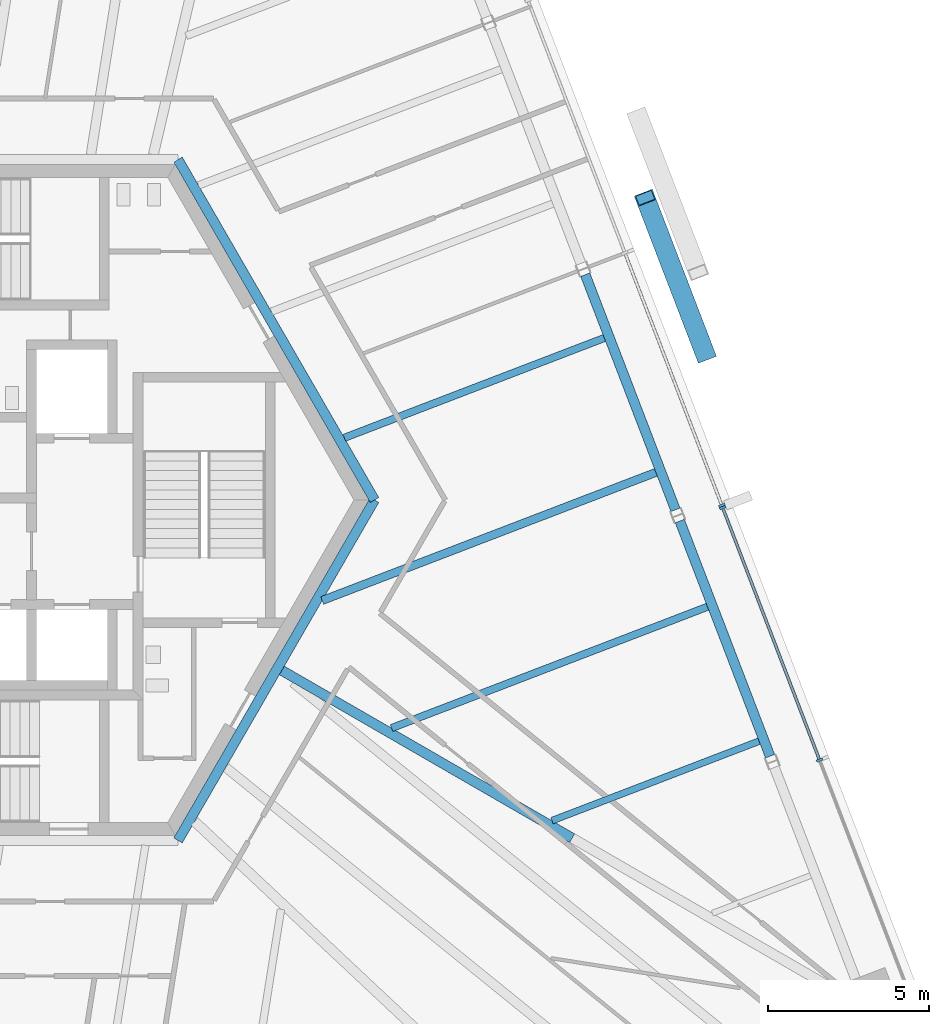
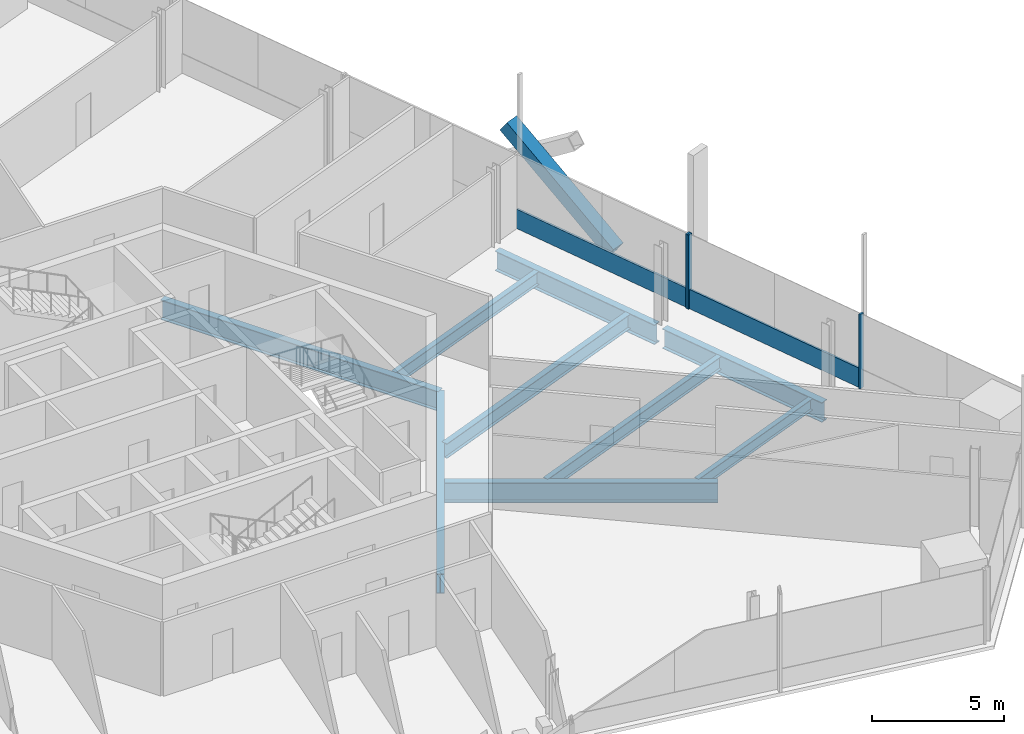
# One storey, part 7 of 22: 9 beams, 6 members, 2 elements without a shape of their own.
"""IFC4 building model written with IfcOpenShell, lengths in metres."""

from ifc_helpers import new_model, si_unit, direction, frame, origin, origin_2d, place, context, subcontext, project, spatial, rectangle, hollow_rectangle, i_section, extrude, source, transform, mapped, material, material_profile, profile_set, type_object, element, aggregate, save


model = new_model("IFC4")

# Units and contexts
model_context = context("Model", 3, precision=1e-05, world=origin(), true_north=direction((0.0, 1.0)))
body_context = subcontext(model_context, "Body", "Model", "MODEL_VIEW")
ifc_project = project(units=[si_unit("LENGTHUNIT", "METRE"), si_unit("AREAUNIT", "SQUARE_METRE"), si_unit("VOLUMEUNIT", "CUBIC_METRE"), si_unit("PLANEANGLEUNIT", "RADIAN"), si_unit("MASSUNIT", "GRAM", prefix="KILO")], contexts=[model_context])

# Site, building, storey
site_placement = place(None, origin())
site = spatial("IfcSite", under=ifc_project, at=site_placement, CompositionType="ELEMENT")
building_placement = place(site_placement, origin())
building = spatial("IfcBuilding", under=site, at=building_placement, Name="Triune Harvest Tower", CompositionType="ELEMENT")
storey_placement = place(building_placement, frame((0.0, 0.0, 153.300048828125)))
storey = spatial("IfcBuildingStorey", under=building, at=storey_placement, Name="L39", CompositionType="ELEMENT", Elevation=153.300048828125)

# Beams
ifc_material_1 = material(Name="Steel ASTM A992 Gr 50", Category="steel")
ifc_material_profile_1 = material_profile(ifc_material_1, i_section(OverallWidth=0.3046875, OverallDepth=0.914306640625, WebThickness=0.0166015625, FlangeThickness=0.02587890625, at=origin_2d()), Name="W36x160")
ifc_profile_set_1 = profile_set([ifc_material_profile_1], Name="Steel ASTM A992 Gr 50")
beam_type_1 = type_object("IfcBeamType", Name="CG-1 Core ring girder W36x160", PredefinedType="BEAM", material=ifc_profile_set_1)
shared_shape_1 = source(origin(), body_context, "Body", "SweptSolid", [
    extrude(i_section(OverallWidth=0.3046875, OverallDepth=0.914306640625, WebThickness=0.0166015625, FlangeThickness=0.02587890625, at=origin_2d()), origin(), (0.0, 0.0, 1.0), 12.176025390625),
])
for number, where, z_axis, x_axis, name in (
    (1, (12.176025390625, 0.0, -0.6171875), (-0.5000099932, 0.866019634131, 0.0), (-0.866019634131, -0.5000099932, 0.0), "beam/L39/CG1"),
    (2, (6.087890625, -10.544677734375, -0.6171875), (0.5000099932, 0.866019634131, 0.0), (-0.866019634131, 0.5000099932, 0.0), "beam/L39/CG6"),
):
    element("IfcBeam", number, at=place(storey_placement, frame(where, z_axis=z_axis, x_axis=x_axis)), inside=storey, type_object=beam_type_1, Name=name, PredefinedType="BEAM", context=body_context, shape_type="MappedRepresentation", body=[
        mapped(shared_shape_1, transform((0.0, 0.0, 0.0), scale=1.0)),
    ])
ifc_material_2 = material(Name="Steel ASTM A992 Gr 50", Category="steel")
ifc_material_profile_2 = material_profile(ifc_material_2, i_section(OverallWidth=0.307373046875, OverallDepth=0.922119140625, WebThickness=0.018310546875, FlangeThickness=0.030029296875, at=origin_2d()), Name="W36x182")
ifc_profile_set_2 = profile_set([ifc_material_profile_2], Name="Steel ASTM A992 Gr 50")
beam_type_2 = type_object("IfcBeamType", Name="HG-2 Hip girder W36x182", PredefinedType="BEAM", material=ifc_profile_set_2)
shared_shape_2 = source(origin(), body_context, "Body", "SweptSolid", [
    extrude(i_section(OverallWidth=0.307373046875, OverallDepth=0.922119140625, WebThickness=0.018310546875, FlangeThickness=0.030029296875, at=origin_2d()), origin(), (0.0, 0.0, 1.0), 10.38623046875),
])
beam_1_placement = place(storey_placement, frame((18.29833984375, -10.47314453125, -0.62109375), z_axis=(-0.866022743272, 0.500004608114, 0.0), x_axis=(-0.500004608114, -0.866022743272, 0.0)))
element("IfcBeam", 3, at=beam_1_placement, inside=storey, type_object=beam_type_2, Name="beam/L39/HG2", PredefinedType="BEAM", context=body_context, shape_type="MappedRepresentation", body=[
    mapped(shared_shape_2, transform((0.0, 0.0, 0.0), scale=1.0)),
])
ifc_material_3 = material(Name="Steel ASTM A992 Gr 50", Category="steel")
ifc_material_profile_3 = material_profile(ifc_material_3, i_section(OverallWidth=0.3046875, OverallDepth=0.914306640625, WebThickness=0.0166015625, FlangeThickness=0.02587890625, at=origin_2d()), Name="W36x160")
ifc_profile_set_3 = profile_set([ifc_material_profile_3], Name="Steel ASTM A992 Gr 50")
beam_type_3 = type_object("IfcBeamType", Name="SB-1 Spandrel beam W36x160", PredefinedType="SPANDREL", material=ifc_profile_set_3)
shared_shape_3 = source(origin(), body_context, "Body", "SweptSolid", [
    extrude(i_section(OverallWidth=0.3046875, OverallDepth=0.914306640625, WebThickness=0.0166015625, FlangeThickness=0.02587890625, at=origin_2d()), origin(), (0.0, 0.0, 1.0), 7.8017578125),
])
for number, where, z_axis, x_axis, name in (
    (4, (24.428466796875, -7.93603515625, -0.6171875), (-0.358372974677, 0.933578497514, 0.0), (-0.933578497514, -0.358372974677, 0.0), "beam/L39/SB2"),
    (5, (21.498779296875, -0.303955078125, -0.6171875), (-0.358372974677, 0.933578497514, 0.0), (-0.933578497514, -0.358372974677, 0.0), "beam/L39/SB3"),
):
    element("IfcBeam", number, at=place(storey_placement, frame(where, z_axis=z_axis, x_axis=x_axis)), inside=storey, type_object=beam_type_3, Name=name, PredefinedType="SPANDREL", context=body_context, shape_type="MappedRepresentation", body=[
        mapped(shared_shape_3, transform((0.0, 0.0, 0.0), scale=1.0)),
    ])
ifc_material_4 = material(Name="Steel ASTM A992 Gr 50", Category="steel")
ifc_material_profile_4 = material_profile(ifc_material_4, i_section(OverallWidth=0.2099609375, OverallDepth=0.535888671875, WebThickness=0.010986328125, FlangeThickness=0.017333984375, at=origin_2d()), Name="W21x68")
ifc_profile_set_4 = profile_set([ifc_material_profile_4], Name="Steel ASTM A992 Gr 50")
beam_type_4 = type_object("IfcBeamType", Name="JT-2 Floor joist W21x68", PredefinedType="JOIST", material=ifc_profile_set_4)
shared_shape_4 = source(origin(), body_context, "Body", "SweptSolid", [
    extrude(i_section(OverallWidth=0.2099609375, OverallDepth=0.535888671875, WebThickness=0.010986328125, FlangeThickness=0.017333984375, at=origin_2d()), origin(), (0.0, 0.0, 1.0), 6.871826171875),
])
beam_2_placement = place(storey_placement, frame((24.086669921875, -7.47119140625, -0.427978515625), z_axis=(-0.933577992689, -0.358374289769, 0.0), x_axis=(0.358374289769, -0.933577992689, 0.0)))
element("IfcBeam", 6, at=beam_2_placement, inside=storey, type_object=beam_type_4, Name="beam/L39/JT2", PredefinedType="JOIST", context=body_context, shape_type="MappedRepresentation", body=[
    mapped(shared_shape_4, transform((0.0, 0.0, 0.0), scale=1.0)),
])
ifc_material_5 = material(Name="Steel ASTM A992 Gr 50", Category="steel")
ifc_material_profile_5 = material_profile(ifc_material_5, i_section(OverallWidth=0.22900390625, OverallDepth=0.612060546875, WebThickness=0.011962890625, FlangeThickness=0.01953125, at=origin_2d()), Name="W24x84")
ifc_profile_set_5 = profile_set([ifc_material_profile_5], Name="Steel ASTM A992 Gr 50")
beam_type_5 = type_object("IfcBeamType", Name="JT-3 Floor joist W24x84", PredefinedType="JOIST", material=ifc_profile_set_5)
shared_shape_5 = source(origin(), body_context, "Body", "SweptSolid", [
    extrude(i_section(OverallWidth=0.22900390625, OverallDepth=0.612060546875, WebThickness=0.011962890625, FlangeThickness=0.01953125, at=origin_2d()), origin(), (0.0, 0.0, 1.0), 10.482666015625),
])
beam_3_placement = place(storey_placement, frame((22.48876953125, -3.30810546875, -0.466064453125), z_axis=(-0.933574113636, -0.358384394677, 0.0), x_axis=(0.358384394677, -0.933574113636, 0.0)))
element("IfcBeam", 7, at=beam_3_placement, inside=storey, type_object=beam_type_5, Name="beam/L39/JT3", PredefinedType="JOIST", context=body_context, shape_type="MappedRepresentation", body=[
    mapped(shared_shape_5, transform((0.0, 0.0, 0.0), scale=1.0)),
])
ifc_material_6 = material(Name="Steel ASTM A992 Gr 50", Category="steel")
ifc_material_profile_6 = material_profile(ifc_material_6, i_section(OverallWidth=0.253662109375, OverallDepth=0.683349609375, WebThickness=0.012451171875, FlangeThickness=0.01904296875, at=origin_2d()), Name="W27x94")
ifc_profile_set_6 = profile_set([ifc_material_profile_6], Name="Steel ASTM A992 Gr 50")
beam_type_6 = type_object("IfcBeamType", Name="JT-4 Floor joist W27x94", PredefinedType="JOIST", material=ifc_profile_set_6)
shared_shape_6 = source(origin(), body_context, "Body", "SweptSolid", [
    extrude(i_section(OverallWidth=0.253662109375, OverallDepth=0.683349609375, WebThickness=0.012451171875, FlangeThickness=0.01904296875, at=origin_2d()), origin(), (0.0, 0.0, 1.0), 11.071533203125),
])
beam_4_placement = place(storey_placement, frame((20.890869140625, 0.854736328125, -0.501708984375), z_axis=(-0.933585234032, -0.358355425237, 0.0), x_axis=(0.358355425237, -0.933585234032, 0.0)))
element("IfcBeam", 8, at=beam_4_placement, inside=storey, type_object=beam_type_6, Name="beam/L39/JT4", PredefinedType="JOIST", context=body_context, shape_type="MappedRepresentation", body=[
    mapped(shared_shape_6, transform((0.0, 0.0, 0.0), scale=1.0)),
])
shared_shape_7 = source(origin(), body_context, "Body", "SweptSolid", [
    extrude(i_section(OverallWidth=0.22900390625, OverallDepth=0.612060546875, WebThickness=0.011962890625, FlangeThickness=0.01953125, at=origin_2d()), origin(), (0.0, 0.0, 1.0), 8.625732421875),
])
beam_5_placement = place(storey_placement, frame((19.292724609375, 5.017578125, -0.466064453125), z_axis=(-0.933587577512, -0.35834931996, 0.0), x_axis=(0.35834931996, -0.933587577512, 0.0)))
element("IfcBeam", 9, at=beam_5_placement, inside=storey, type_object=beam_type_5, Name="beam/L39/JT5", PredefinedType="JOIST", context=body_context, shape_type="MappedRepresentation", body=[
    mapped(shared_shape_7, transform((0.0, 0.0, 0.0), scale=1.0)),
])

# Member
ifc_material_7 = material(Name="Steel ASTM A572 Gr 50", Category="steel")
ifc_material_profile_7 = material_profile(ifc_material_7, hollow_rectangle(XDim=0.60009765625, YDim=0.60009765625, WallThickness=0.0400390625, at=origin_2d()), Name="Box 600x600x40")
ifc_profile_set_7 = profile_set([ifc_material_profile_7], Name="Steel ASTM A572 Gr 50")
member_type_1 = type_object("IfcMemberType", Name="BR-2 Brace Box 600x600x40", PredefinedType="BRACE", material=ifc_profile_set_7)
shared_shape_8 = source(origin(), body_context, "Body", "SweptSolid", [
    extrude(hollow_rectangle(XDim=0.60009765625, YDim=0.60009765625, WallThickness=0.0400390625, at=origin_2d()), origin(), (0.0, 0.0, 1.0), 6.3291015625),
])
member_1_placement = place(storey_placement, frame((22.42626953125, 4.503173828125, 0.0), z_axis=(-0.294747285045, 0.767862773997, 0.568780096583), x_axis=(-0.933583525139, -0.358359877202, 0.0)))
element("IfcMember", 10, at=member_1_placement, inside=storey, type_object=member_type_1, Name="brace/B4-F1/d1/5", PredefinedType="BRACE", context=body_context, shape_type="MappedRepresentation", body=[
    mapped(shared_shape_8, transform((0.0, 0.0, 0.0), scale=1.0)),
])

# Curtain wall, members
ifc_material_8 = material(Name="Aluminium bronze anodised", Category="aluminium")
curtain_wall_type_1 = type_object("IfcCurtainWallType", Name="CW-1 Tower stick curtain wall", PredefinedType="NOTDEFINED", material=ifc_material_8)
curtain_wall_1_placement = place(storey_placement, origin())
curtain_wall_1 = element("IfcCurtainWall", 11, at=curtain_wall_1_placement, inside=storey, type_object=curtain_wall_type_1, Name="CW-1 B4-F1 L39 run 1")
ifc_material_9 = material(Name="Aluminium bronze anodised", Category="aluminium")
ifc_material_profile_8 = material_profile(ifc_material_9, rectangle(XDim=0.199951171875, YDim=0.074951171875, at=origin_2d()), Name="MU-1 mullion 75 x 200")
ifc_profile_set_8 = profile_set([ifc_material_profile_8], Name="Aluminium bronze anodised")
member_type_2 = type_object("IfcMemberType", Name="MU-1 mullion 75 x 200", PredefinedType="MULLION", material=ifc_profile_set_8)
shared_shape_9 = source(origin(), body_context, "Body", "SweptSolid", [
    extrude(rectangle(XDim=0.199951171875, YDim=0.074951171875, at=origin_2d()), origin(), (0.0, 0.0, 1.0), 3.43994140625),
])
member_2_placement = place(storey_placement, frame((25.9619140625, -8.0556640625, 0.0), z_axis=(0.0, 0.0, 1.0), x_axis=(-0.933579143884, -0.35837129085, 0.0)))
member_2 = element("IfcMember", 12, at=member_2_placement, type_object=member_type_2, Name="CW-1 mullion B4-F1 1.3", PredefinedType="MULLION", context=body_context, shape_type="MappedRepresentation", body=[
    mapped(shared_shape_9, transform((0.0, 0.0, 0.0), scale=1.0)),
])
member_3_placement = place(storey_placement, frame((22.960693359375, -0.237060546875, 0.0), z_axis=(0.0, 0.0, 1.0), x_axis=(-0.933579143884, -0.35837129085, 0.0)))
member_3 = element("IfcMember", 13, at=member_3_placement, type_object=member_type_2, Name="CW-1 mullion B4-F1 1.5", PredefinedType="MULLION", context=body_context, shape_type="MappedRepresentation", body=[
    mapped(shared_shape_9, transform((0.0, 0.0, 0.0), scale=1.0)),
])

# Curtain wall, member
ifc_material_10 = material(Name="Aluminium bronze anodised", Category="aluminium")
curtain_wall_type_2 = type_object("IfcCurtainWallType", Name="CW-7 Tower stick curtain wall with insulated spandrel infill", PredefinedType="NOTDEFINED", material=ifc_material_10)
curtain_wall_2_placement = place(storey_placement, origin())
curtain_wall_2 = element("IfcCurtainWall", 14, at=curtain_wall_2_placement, inside=storey, type_object=curtain_wall_type_2, Name="CW-7 B4-F1 L39 run 1001")
member_4_placement = place(storey_placement, frame((22.933837890625, -0.1669921875, 0.0), z_axis=(0.0, 0.0, 1.0), x_axis=(-0.93358146847, -0.358365235101, 0.0)))
member_4 = element("IfcMember", 15, at=member_4_placement, type_object=member_type_2, Name="CW-7 mullion B4-F1 1001.1", PredefinedType="MULLION", context=body_context, shape_type="MappedRepresentation", body=[
    mapped(shared_shape_9, transform((0.0, 0.0, 0.0), scale=1.0)),
])

# Member
ifc_material_11 = material(Name="Aluminium bronze anodised", Category="aluminium")
ifc_material_profile_9 = material_profile(ifc_material_11, rectangle(XDim=0.090087890625, YDim=0.89990234375, at=origin_2d()), Name="TR-1 transom 90 x 900")
ifc_profile_set_9 = profile_set([ifc_material_profile_9], Name="Aluminium bronze anodised")
member_type_3 = type_object("IfcMemberType", Name="TR-1 transom 90 x 900", PredefinedType="USERDEFINED", material=ifc_profile_set_9)
shared_shape_10 = source(origin(), body_context, "Body", "SweptSolid", [
    extrude(rectangle(XDim=0.090087890625, YDim=0.89990234375, at=origin_2d()), origin(), (0.0, 0.0, 1.0), 8.299560546875),
])
member_5_placement = place(storey_placement, frame((25.948486328125, -8.0205078125, 0.449951171875), z_axis=(-0.358375823546, 0.933577403913, 0.0), x_axis=(-0.933577403913, -0.358375823546, 0.0)))
member_5 = element("IfcMember", 16, at=member_5_placement, type_object=member_type_3, Name="CW-1 transom B4-F1 1.2", ObjectType="TRANSOM", PredefinedType="USERDEFINED", context=body_context, shape_type="MappedRepresentation", body=[
    mapped(shared_shape_10, transform((0.0, 0.0, 0.0), scale=1.0)),
])

aggregate(curtain_wall_1, [member_2, member_3, member_5])

shared_shape_11 = source(origin(), body_context, "Body", "SweptSolid", [
    extrude(rectangle(XDim=0.090087890625, YDim=0.89990234375, at=origin_2d()), origin(), (0.0, 0.0, 1.0), 8.2998046875),
])
member_6_placement = place(storey_placement, frame((22.92041015625, -0.132080078125, 0.449951171875), z_axis=(-0.35836598202, 0.933581181757, 0.0), x_axis=(-0.933581181757, -0.35836598202, 0.0)))
member_6 = element("IfcMember", 17, at=member_6_placement, type_object=member_type_3, Name="CW-7 transom B4-F1 1001.1", ObjectType="TRANSOM", PredefinedType="USERDEFINED", context=body_context, shape_type="MappedRepresentation", body=[
    mapped(shared_shape_11, transform((0.0, 0.0, 0.0), scale=1.0)),
])

aggregate(curtain_wall_2, [member_4, member_6])

save(model, "model.ifc")
